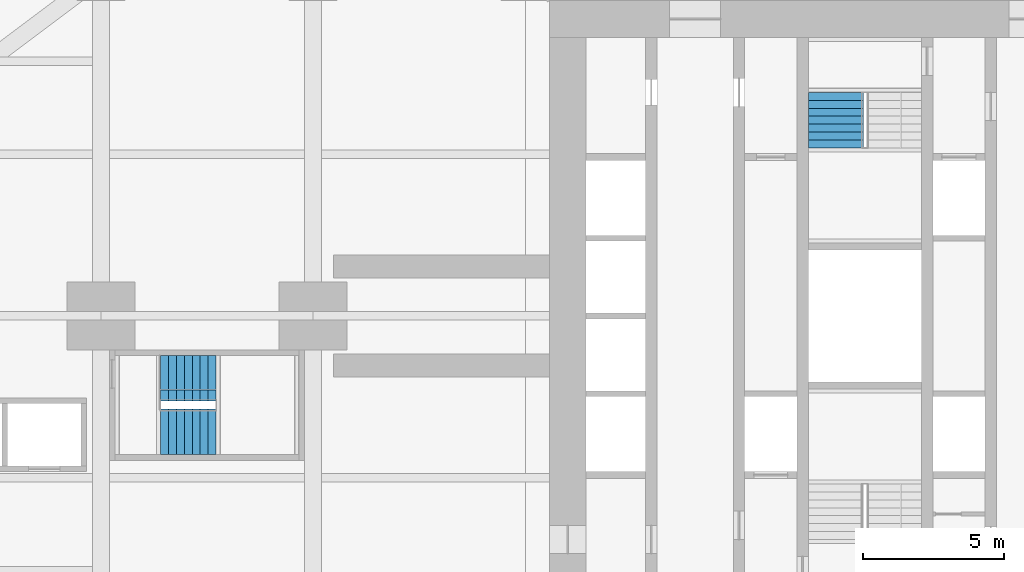
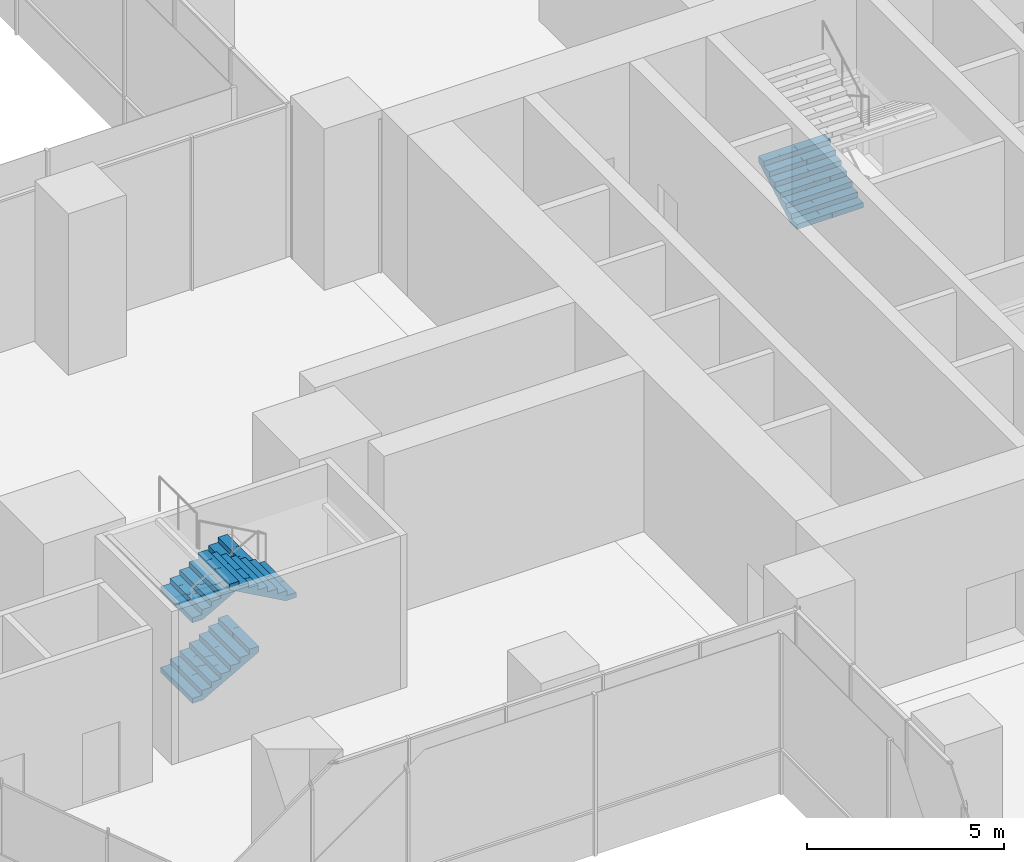
# One storey, part 20 of 23: 4 stair flights, 2 elements without a shape of their own.
"""IFC4 building model written with IfcOpenShell, lengths in metres."""

from ifc_helpers import new_model, si_unit, direction, frame, origin, place, context, subcontext, project, spatial, polyline, outline, extrude, material, type_object, element, aggregate, save


model = new_model("IFC4")

# Units and contexts
model_context = context("Model", 3, precision=1e-05, world=origin(), true_north=direction((0.0, 1.0)))
body_context = subcontext(model_context, "Body", "Model", "MODEL_VIEW")
ifc_project = project(units=[si_unit("LENGTHUNIT", "METRE"), si_unit("AREAUNIT", "SQUARE_METRE"), si_unit("VOLUMEUNIT", "CUBIC_METRE"), si_unit("PLANEANGLEUNIT", "RADIAN"), si_unit("MASSUNIT", "GRAM", prefix="KILO")], contexts=[model_context])

# Site, building, storey
site_placement = place(None, origin())
site = spatial("IfcSite", under=ifc_project, at=site_placement, CompositionType="ELEMENT")
building_placement = place(site_placement, origin())
building = spatial("IfcBuilding", under=site, at=building_placement, Name="Mizan Broadcast Tower", CompositionType="ELEMENT")
storey_placement = place(building_placement, frame((0.0, 0.0, 28.0)))
storey = spatial("IfcBuildingStorey", under=building, at=storey_placement, Name="L04", CompositionType="ELEMENT", Elevation=28.0)

# Stair, stair flight
ifc_material_1 = material(Name="Concrete C40/50", Category="concrete")
stair_type = type_object("IfcStairType", Name="EXIT STAIR", PredefinedType="HALF_TURN_STAIR", material=ifc_material_1)
stair_1_placement = place(storey_placement, origin())
stair_1 = element("IfcStair", 1, at=stair_1_placement, inside=storey, type_object=stair_type, Name="Stair B L04", PredefinedType="HALF_TURN_STAIR")
ifc_material_2 = material(Name="Concrete C40/50", Category="concrete")
stair_flight_type = type_object("IfcStairFlightType", Name="EXIT STAIR FLIGHT", PredefinedType="STRAIGHT", material=ifc_material_2)
stair_flight_1_placement = place(storey_placement, frame((-1.02490234375, 5.93994140625, 1.25), z_axis=(0.0, 0.0, 1.0), x_axis=(0.0, 1.0, 0.0)))
stair_flight_1 = element("IfcStairFlight", 2, at=stair_flight_1_placement, type_object=stair_flight_type, Name="B flight 2", NumberOfRisers=8, NumberOfTreads=7, PredefinedType="STRAIGHT", RiserHeight=0.15625, TreadLength=0.28, context=body_context, shape_type="SweptSolid", body=[
    extrude(outline(polyline([(0.0, 0.0), (0.0, 0.15625), (0.280029296875, 0.15625), (0.280029296875, 0.3125), (0.56005859375, 0.3125), (0.56005859375, 0.46875), (0.840087890625, 0.46875), (0.840087890625, 0.625), (1.1201171875, 0.625), (1.1201171875, 0.78125), (1.39990234375, 0.78125), (1.39990234375, 0.9375), (1.679931640625, 0.9375), (1.679931640625, 1.09375), (1.9599609375, 1.09375), (1.9599609375, 1.25), (1.9599609375, 0.922119140625), (0.3076171875, 0.0), (0.0, 0.0)])), frame((0.0, 0.97509765625, 0.0), z_axis=(0.0, -1.0, 0.0), x_axis=(1.0, 0.0, 0.0)), (0.0, 0.0, 1.0), 0.4873046875),
    extrude(outline(polyline([(0.0, 0.0), (0.0, 0.15625), (0.280029296875, 0.15625), (0.280029296875, 0.3125), (0.56005859375, 0.3125), (0.56005859375, 0.46875), (0.840087890625, 0.46875), (0.840087890625, 0.625), (1.1201171875, 0.625), (1.1201171875, 0.78125), (1.39990234375, 0.78125), (1.39990234375, 0.9375), (1.679931640625, 0.9375), (1.679931640625, 1.09375), (1.9599609375, 1.09375), (1.9599609375, 1.25), (1.9599609375, 0.922119140625), (0.3076171875, 0.0), (0.0, 0.0)])), frame((0.0, 0.4873046875, 0.0), z_axis=(0.0, -1.0, 0.0), x_axis=(1.0, 0.0, 0.0)), (0.0, 0.0, 1.0), 0.2431640625),
    extrude(outline(polyline([(0.0, 0.0), (0.0, 0.15625), (0.280029296875, 0.15625), (0.280029296875, 0.3125), (0.56005859375, 0.3125), (0.56005859375, 0.46875), (0.840087890625, 0.46875), (0.840087890625, 0.625), (1.1201171875, 0.625), (1.1201171875, 0.78125), (1.39990234375, 0.78125), (1.39990234375, 0.9375), (1.679931640625, 0.9375), (1.679931640625, 1.09375), (1.9599609375, 1.09375), (1.9599609375, 1.25), (1.9599609375, 0.922119140625), (0.3076171875, 0.0), (0.0, 0.0)])), frame((0.0, 0.24365234375, 0.0), z_axis=(0.0, -1.0, 0.0), x_axis=(1.0, 0.0, 0.0)), (0.0, 0.0, 1.0), 0.121337890625),
    extrude(outline(polyline([(0.0, 0.0), (0.0, 0.15625), (0.280029296875, 0.15625), (0.280029296875, 0.3125), (0.56005859375, 0.3125), (0.56005859375, 0.46875), (0.840087890625, 0.46875), (0.840087890625, 0.625), (1.1201171875, 0.625), (1.1201171875, 0.78125), (1.39990234375, 0.78125), (1.39990234375, 0.9375), (1.679931640625, 0.9375), (1.679931640625, 1.09375), (1.9599609375, 1.09375), (1.9599609375, 1.25), (1.9599609375, 0.922119140625), (0.3076171875, 0.0), (0.0, 0.0)])), frame((0.0, 0.121826171875, 0.0), z_axis=(0.0, -1.0, 0.0), x_axis=(1.0, 0.0, 0.0)), (0.0, 0.0, 1.0), 0.060546875),
    extrude(outline(polyline([(0.0, 0.0), (0.0, 0.15625), (0.280029296875, 0.15625), (0.280029296875, 0.3125), (0.56005859375, 0.3125), (0.56005859375, 0.46875), (0.840087890625, 0.46875), (0.840087890625, 0.625), (1.1201171875, 0.625), (1.1201171875, 0.78125), (1.39990234375, 0.78125), (1.39990234375, 0.9375), (1.679931640625, 0.9375), (1.679931640625, 1.09375), (1.9599609375, 1.09375), (1.9599609375, 1.25), (1.9599609375, 0.922119140625), (0.3076171875, 0.0), (0.0, 0.0)])), frame((0.0, 0.060791015625, 0.0), z_axis=(0.0, -1.0, 0.0), x_axis=(1.0, 0.0, 0.0)), (0.0, 0.0, 1.0), 0.030029296875),
    extrude(outline(polyline([(0.0, 0.0), (0.0, 0.15625), (0.280029296875, 0.15625), (0.280029296875, 0.3125), (0.56005859375, 0.3125), (0.56005859375, 0.46875), (0.840087890625, 0.46875), (0.840087890625, 0.625), (1.1201171875, 0.625), (1.1201171875, 0.78125), (1.39990234375, 0.78125), (1.39990234375, 0.9375), (1.679931640625, 0.9375), (1.679931640625, 1.09375), (1.9599609375, 1.09375), (1.9599609375, 1.25), (1.9599609375, 0.922119140625), (0.3076171875, 0.0), (0.0, 0.0)])), frame((0.0, 0.0302734375, 0.0), z_axis=(0.0, -1.0, 0.0), x_axis=(1.0, 0.0, 0.0)), (0.0, 0.0, 1.0), 0.060302734375),
    extrude(outline(polyline([(0.0, 0.0), (0.0, 0.15625), (0.280029296875, 0.15625), (0.280029296875, 0.3125), (0.56005859375, 0.3125), (0.56005859375, 0.46875), (0.840087890625, 0.46875), (0.840087890625, 0.625), (1.1201171875, 0.625), (1.1201171875, 0.78125), (1.39990234375, 0.78125), (1.39990234375, 0.9375), (1.679931640625, 0.9375), (1.679931640625, 1.09375), (1.9599609375, 1.09375), (1.9599609375, 1.25), (1.9599609375, 0.922119140625), (0.3076171875, 0.0), (0.0, 0.0)])), frame((0.0, -0.030517578125, 0.0), z_axis=(0.0, -1.0, 0.0), x_axis=(1.0, 0.0, 0.0)), (0.0, 0.0, 1.0), 0.030029296875),
    extrude(outline(polyline([(0.0, 0.0), (0.0, 0.15625), (0.280029296875, 0.15625), (0.280029296875, 0.3125), (0.56005859375, 0.3125), (0.56005859375, 0.46875), (0.840087890625, 0.46875), (0.840087890625, 0.625), (1.1201171875, 0.625), (1.1201171875, 0.78125), (1.39990234375, 0.78125), (1.39990234375, 0.9375), (1.679931640625, 0.9375), (1.679931640625, 1.09375), (1.9599609375, 1.09375), (1.9599609375, 1.25), (1.9599609375, 0.922119140625), (0.3076171875, 0.0), (0.0, 0.0)])), frame((0.0, -0.06103515625, 0.0), z_axis=(0.0, -1.0, 0.0), x_axis=(1.0, 0.0, 0.0)), (0.0, 0.0, 1.0), 0.060546875),
    extrude(outline(polyline([(0.0, 0.0), (0.0, 0.15625), (0.280029296875, 0.15625), (0.280029296875, 0.3125), (0.56005859375, 0.3125), (0.56005859375, 0.46875), (0.840087890625, 0.46875), (0.840087890625, 0.625), (1.1201171875, 0.625), (1.1201171875, 0.78125), (1.39990234375, 0.78125), (1.39990234375, 0.9375), (1.679931640625, 0.9375), (1.679931640625, 1.09375), (1.9599609375, 1.09375), (1.9599609375, 1.25), (1.9599609375, 0.922119140625), (0.3076171875, 0.0), (0.0, 0.0)])), frame((0.0, -0.1220703125, 0.0), z_axis=(0.0, -1.0, 0.0), x_axis=(1.0, 0.0, 0.0)), (0.0, 0.0, 1.0), 0.121337890625),
    extrude(outline(polyline([(0.0, 0.0), (0.0, 0.15625), (0.280029296875, 0.15625), (0.280029296875, 0.3125), (0.56005859375, 0.3125), (0.56005859375, 0.46875), (0.840087890625, 0.46875), (0.840087890625, 0.625), (1.1201171875, 0.625), (1.1201171875, 0.78125), (1.39990234375, 0.78125), (1.39990234375, 0.9375), (1.679931640625, 0.9375), (1.679931640625, 1.09375), (1.9599609375, 1.09375), (1.9599609375, 1.25), (1.9599609375, 0.922119140625), (0.3076171875, 0.0), (0.0, 0.0)])), frame((0.0, -0.243896484375, 0.0), z_axis=(0.0, -1.0, 0.0), x_axis=(1.0, 0.0, 0.0)), (0.0, 0.0, 1.0), 0.2431640625),
    extrude(outline(polyline([(0.0, 0.0), (0.0, 0.15625), (0.280029296875, 0.15625), (0.280029296875, 0.3125), (0.56005859375, 0.3125), (0.56005859375, 0.46875), (0.840087890625, 0.46875), (0.840087890625, 0.625), (1.1201171875, 0.625), (1.1201171875, 0.78125), (1.39990234375, 0.78125), (1.39990234375, 0.9375), (1.679931640625, 0.9375), (1.679931640625, 1.09375), (1.9599609375, 1.09375), (1.9599609375, 1.25), (1.9599609375, 0.922119140625), (0.3076171875, 0.0), (0.0, 0.0)])), frame((0.0, -0.487548828125, 0.0), z_axis=(0.0, -1.0, 0.0), x_axis=(1.0, 0.0, 0.0)), (0.0, 0.0, 1.0), 0.4873046875),
])
aggregate(stair_1, [stair_flight_1])

# Stair, stair flights
stair_2_placement = place(storey_placement, origin())
stair_2 = element("IfcStair", 3, at=stair_2_placement, inside=storey, type_object=stair_type, Name="Stair D L04", PredefinedType="HALF_TURN_STAIR")
stair_flight_2_placement = place(storey_placement, frame((-24.889892578125, -2.205078125, 0.0), z_axis=(0.0, 0.0, 1.0), x_axis=(1.0, 0.0, 0.0)))
stair_flight_2 = element("IfcStairFlight", 4, at=stair_flight_2_placement, type_object=stair_flight_type, Name="D flight 1", NumberOfRisers=8, NumberOfTreads=7, PredefinedType="STRAIGHT", RiserHeight=0.15625, TreadLength=0.28, context=body_context, shape_type="SweptSolid", body=[
    extrude(outline(polyline([(0.0, 0.0), (0.0, 0.15625), (0.280029296875, 0.15625), (0.280029296875, 0.3125), (0.56005859375, 0.3125), (0.56005859375, 0.46875), (0.840087890625, 0.46875), (0.840087890625, 0.625), (1.1201171875, 0.625), (1.1201171875, 0.78125), (1.39990234375, 0.78125), (1.39990234375, 0.9375), (1.679931640625, 0.9375), (1.679931640625, 1.09375), (1.9599609375, 1.09375), (1.9599609375, 1.25), (1.9599609375, 0.922119140625), (0.3076171875, 0.0), (0.0, 0.0)])), frame((0.0, 0.80517578125, 0.0), z_axis=(0.0, -1.0, 0.0), x_axis=(1.0, 0.0, 0.0)), (0.0, 0.0, 1.0), 0.40234375),
    extrude(outline(polyline([(0.0, 0.0), (0.0, 0.15625), (0.280029296875, 0.15625), (0.280029296875, 0.3125), (0.56005859375, 0.3125), (0.56005859375, 0.46875), (0.840087890625, 0.46875), (0.840087890625, 0.625), (1.1201171875, 0.625), (1.1201171875, 0.78125), (1.39990234375, 0.78125), (1.39990234375, 0.9375), (1.679931640625, 0.9375), (1.679931640625, 1.09375), (1.9599609375, 1.09375), (1.9599609375, 1.25), (1.9599609375, 0.922119140625), (0.3076171875, 0.0), (0.0, 0.0)])), frame((0.0, 0.40234375, 0.0), z_axis=(0.0, -1.0, 0.0), x_axis=(1.0, 0.0, 0.0)), (0.0, 0.0, 1.0), 0.20068359375),
    extrude(outline(polyline([(0.0, 0.0), (0.0, 0.15625), (0.280029296875, 0.15625), (0.280029296875, 0.3125), (0.56005859375, 0.3125), (0.56005859375, 0.46875), (0.840087890625, 0.46875), (0.840087890625, 0.625), (1.1201171875, 0.625), (1.1201171875, 0.78125), (1.39990234375, 0.78125), (1.39990234375, 0.9375), (1.679931640625, 0.9375), (1.679931640625, 1.09375), (1.9599609375, 1.09375), (1.9599609375, 1.25), (1.9599609375, 0.922119140625), (0.3076171875, 0.0), (0.0, 0.0)])), frame((0.0, 0.201171875, 0.0), z_axis=(0.0, -1.0, 0.0), x_axis=(1.0, 0.0, 0.0)), (0.0, 0.0, 1.0), 0.10009765625),
    extrude(outline(polyline([(0.0, 0.0), (0.0, 0.15625), (0.280029296875, 0.15625), (0.280029296875, 0.3125), (0.56005859375, 0.3125), (0.56005859375, 0.46875), (0.840087890625, 0.46875), (0.840087890625, 0.625), (1.1201171875, 0.625), (1.1201171875, 0.78125), (1.39990234375, 0.78125), (1.39990234375, 0.9375), (1.679931640625, 0.9375), (1.679931640625, 1.09375), (1.9599609375, 1.09375), (1.9599609375, 1.25), (1.9599609375, 0.922119140625), (0.3076171875, 0.0), (0.0, 0.0)])), frame((0.0, 0.1005859375, 0.0), z_axis=(0.0, -1.0, 0.0), x_axis=(1.0, 0.0, 0.0)), (0.0, 0.0, 1.0), 0.0498046875),
    extrude(outline(polyline([(0.0, 0.0), (0.0, 0.15625), (0.280029296875, 0.15625), (0.280029296875, 0.3125), (0.56005859375, 0.3125), (0.56005859375, 0.46875), (0.840087890625, 0.46875), (0.840087890625, 0.625), (1.1201171875, 0.625), (1.1201171875, 0.78125), (1.39990234375, 0.78125), (1.39990234375, 0.9375), (1.679931640625, 0.9375), (1.679931640625, 1.09375), (1.9599609375, 1.09375), (1.9599609375, 1.25), (1.9599609375, 0.922119140625), (0.3076171875, 0.0), (0.0, 0.0)])), frame((0.0, 0.05029296875, 0.0), z_axis=(0.0, -1.0, 0.0), x_axis=(1.0, 0.0, 0.0)), (0.0, 0.0, 1.0), 0.024658203125),
    extrude(outline(polyline([(0.0, 0.0), (0.0, 0.15625), (0.280029296875, 0.15625), (0.280029296875, 0.3125), (0.56005859375, 0.3125), (0.56005859375, 0.46875), (0.840087890625, 0.46875), (0.840087890625, 0.625), (1.1201171875, 0.625), (1.1201171875, 0.78125), (1.39990234375, 0.78125), (1.39990234375, 0.9375), (1.679931640625, 0.9375), (1.679931640625, 1.09375), (1.9599609375, 1.09375), (1.9599609375, 1.25), (1.9599609375, 0.922119140625), (0.3076171875, 0.0), (0.0, 0.0)])), frame((0.0, 0.025146484375, 0.0), z_axis=(0.0, -1.0, 0.0), x_axis=(1.0, 0.0, 0.0)), (0.0, 0.0, 1.0), 0.050048828125),
    extrude(outline(polyline([(0.0, 0.0), (0.0, 0.15625), (0.280029296875, 0.15625), (0.280029296875, 0.3125), (0.56005859375, 0.3125), (0.56005859375, 0.46875), (0.840087890625, 0.46875), (0.840087890625, 0.625), (1.1201171875, 0.625), (1.1201171875, 0.78125), (1.39990234375, 0.78125), (1.39990234375, 0.9375), (1.679931640625, 0.9375), (1.679931640625, 1.09375), (1.9599609375, 1.09375), (1.9599609375, 1.25), (1.9599609375, 0.922119140625), (0.3076171875, 0.0), (0.0, 0.0)])), frame((0.0, -0.025390625, 0.0), z_axis=(0.0, -1.0, 0.0), x_axis=(1.0, 0.0, 0.0)), (0.0, 0.0, 1.0), 0.024658203125),
    extrude(outline(polyline([(0.0, 0.0), (0.0, 0.15625), (0.280029296875, 0.15625), (0.280029296875, 0.3125), (0.56005859375, 0.3125), (0.56005859375, 0.46875), (0.840087890625, 0.46875), (0.840087890625, 0.625), (1.1201171875, 0.625), (1.1201171875, 0.78125), (1.39990234375, 0.78125), (1.39990234375, 0.9375), (1.679931640625, 0.9375), (1.679931640625, 1.09375), (1.9599609375, 1.09375), (1.9599609375, 1.25), (1.9599609375, 0.922119140625), (0.3076171875, 0.0), (0.0, 0.0)])), frame((0.0, -0.050537109375, 0.0), z_axis=(0.0, -1.0, 0.0), x_axis=(1.0, 0.0, 0.0)), (0.0, 0.0, 1.0), 0.0498046875),
    extrude(outline(polyline([(0.0, 0.0), (0.0, 0.15625), (0.280029296875, 0.15625), (0.280029296875, 0.3125), (0.56005859375, 0.3125), (0.56005859375, 0.46875), (0.840087890625, 0.46875), (0.840087890625, 0.625), (1.1201171875, 0.625), (1.1201171875, 0.78125), (1.39990234375, 0.78125), (1.39990234375, 0.9375), (1.679931640625, 0.9375), (1.679931640625, 1.09375), (1.9599609375, 1.09375), (1.9599609375, 1.25), (1.9599609375, 0.922119140625), (0.3076171875, 0.0), (0.0, 0.0)])), frame((0.0, -0.100830078125, 0.0), z_axis=(0.0, -1.0, 0.0), x_axis=(1.0, 0.0, 0.0)), (0.0, 0.0, 1.0), 0.10009765625),
    extrude(outline(polyline([(0.0, 0.0), (0.0, 0.15625), (0.280029296875, 0.15625), (0.280029296875, 0.3125), (0.56005859375, 0.3125), (0.56005859375, 0.46875), (0.840087890625, 0.46875), (0.840087890625, 0.625), (1.1201171875, 0.625), (1.1201171875, 0.78125), (1.39990234375, 0.78125), (1.39990234375, 0.9375), (1.679931640625, 0.9375), (1.679931640625, 1.09375), (1.9599609375, 1.09375), (1.9599609375, 1.25), (1.9599609375, 0.922119140625), (0.3076171875, 0.0), (0.0, 0.0)])), frame((0.0, -0.201416015625, 0.0), z_axis=(0.0, -1.0, 0.0), x_axis=(1.0, 0.0, 0.0)), (0.0, 0.0, 1.0), 0.20068359375),
    extrude(outline(polyline([(0.0, 0.0), (0.0, 0.15625), (0.280029296875, 0.15625), (0.280029296875, 0.3125), (0.56005859375, 0.3125), (0.56005859375, 0.46875), (0.840087890625, 0.46875), (0.840087890625, 0.625), (1.1201171875, 0.625), (1.1201171875, 0.78125), (1.39990234375, 0.78125), (1.39990234375, 0.9375), (1.679931640625, 0.9375), (1.679931640625, 1.09375), (1.9599609375, 1.09375), (1.9599609375, 1.25), (1.9599609375, 0.922119140625), (0.3076171875, 0.0), (0.0, 0.0)])), frame((0.0, -0.402587890625, 0.0), z_axis=(0.0, -1.0, 0.0), x_axis=(1.0, 0.0, 0.0)), (0.0, 0.0, 1.0), 0.40234375),
])
stair_flight_3_placement = place(storey_placement, frame((-24.889892578125, -2.205078125, 2.5), z_axis=(0.0, 0.0, 1.0), x_axis=(1.0, 0.0, 0.0)))
stair_flight_3 = element("IfcStairFlight", 5, at=stair_flight_3_placement, type_object=stair_flight_type, Name="D flight 3", NumberOfRisers=8, NumberOfTreads=7, PredefinedType="STRAIGHT", RiserHeight=0.15625, TreadLength=0.28, context=body_context, shape_type="SweptSolid", body=[
    extrude(outline(polyline([(0.0, 0.0), (0.0, 0.15625), (0.280029296875, 0.15625), (0.280029296875, 0.3125), (0.56005859375, 0.3125), (0.56005859375, 0.46875), (0.840087890625, 0.46875), (0.840087890625, 0.625), (1.1201171875, 0.625), (1.1201171875, 0.78125), (1.39990234375, 0.78125), (1.39990234375, 0.9375), (1.679931640625, 0.9375), (1.679931640625, 1.09375), (1.9599609375, 1.09375), (1.9599609375, 1.25), (1.9599609375, 0.922119140625), (0.3076171875, 0.0), (0.0, 0.0)])), frame((0.0, 0.80517578125, 0.0), z_axis=(0.0, -1.0, 0.0), x_axis=(1.0, 0.0, 0.0)), (0.0, 0.0, 1.0), 0.40234375),
    extrude(outline(polyline([(0.0, 0.0), (0.0, 0.15625), (0.280029296875, 0.15625), (0.280029296875, 0.3125), (0.56005859375, 0.3125), (0.56005859375, 0.46875), (0.840087890625, 0.46875), (0.840087890625, 0.625), (1.1201171875, 0.625), (1.1201171875, 0.78125), (1.39990234375, 0.78125), (1.39990234375, 0.9375), (1.679931640625, 0.9375), (1.679931640625, 1.09375), (1.9599609375, 1.09375), (1.9599609375, 1.25), (1.9599609375, 0.922119140625), (0.3076171875, 0.0), (0.0, 0.0)])), frame((0.0, 0.40234375, 0.0), z_axis=(0.0, -1.0, 0.0), x_axis=(1.0, 0.0, 0.0)), (0.0, 0.0, 1.0), 0.20068359375),
    extrude(outline(polyline([(0.0, 0.0), (0.0, 0.15625), (0.280029296875, 0.15625), (0.280029296875, 0.3125), (0.56005859375, 0.3125), (0.56005859375, 0.46875), (0.840087890625, 0.46875), (0.840087890625, 0.625), (1.1201171875, 0.625), (1.1201171875, 0.78125), (1.39990234375, 0.78125), (1.39990234375, 0.9375), (1.679931640625, 0.9375), (1.679931640625, 1.09375), (1.9599609375, 1.09375), (1.9599609375, 1.25), (1.9599609375, 0.922119140625), (0.3076171875, 0.0), (0.0, 0.0)])), frame((0.0, 0.201171875, 0.0), z_axis=(0.0, -1.0, 0.0), x_axis=(1.0, 0.0, 0.0)), (0.0, 0.0, 1.0), 0.10009765625),
    extrude(outline(polyline([(0.0, 0.0), (0.0, 0.15625), (0.280029296875, 0.15625), (0.280029296875, 0.3125), (0.56005859375, 0.3125), (0.56005859375, 0.46875), (0.840087890625, 0.46875), (0.840087890625, 0.625), (1.1201171875, 0.625), (1.1201171875, 0.78125), (1.39990234375, 0.78125), (1.39990234375, 0.9375), (1.679931640625, 0.9375), (1.679931640625, 1.09375), (1.9599609375, 1.09375), (1.9599609375, 1.25), (1.9599609375, 0.922119140625), (0.3076171875, 0.0), (0.0, 0.0)])), frame((0.0, 0.1005859375, 0.0), z_axis=(0.0, -1.0, 0.0), x_axis=(1.0, 0.0, 0.0)), (0.0, 0.0, 1.0), 0.0498046875),
    extrude(outline(polyline([(0.0, 0.0), (0.0, 0.15625), (0.280029296875, 0.15625), (0.280029296875, 0.3125), (0.56005859375, 0.3125), (0.56005859375, 0.46875), (0.840087890625, 0.46875), (0.840087890625, 0.625), (1.1201171875, 0.625), (1.1201171875, 0.78125), (1.39990234375, 0.78125), (1.39990234375, 0.9375), (1.679931640625, 0.9375), (1.679931640625, 1.09375), (1.9599609375, 1.09375), (1.9599609375, 1.25), (1.9599609375, 0.922119140625), (0.3076171875, 0.0), (0.0, 0.0)])), frame((0.0, 0.05029296875, 0.0), z_axis=(0.0, -1.0, 0.0), x_axis=(1.0, 0.0, 0.0)), (0.0, 0.0, 1.0), 0.024658203125),
    extrude(outline(polyline([(0.0, 0.0), (0.0, 0.15625), (0.280029296875, 0.15625), (0.280029296875, 0.3125), (0.56005859375, 0.3125), (0.56005859375, 0.46875), (0.840087890625, 0.46875), (0.840087890625, 0.625), (1.1201171875, 0.625), (1.1201171875, 0.78125), (1.39990234375, 0.78125), (1.39990234375, 0.9375), (1.679931640625, 0.9375), (1.679931640625, 1.09375), (1.9599609375, 1.09375), (1.9599609375, 1.25), (1.9599609375, 0.922119140625), (0.3076171875, 0.0), (0.0, 0.0)])), frame((0.0, 0.025146484375, 0.0), z_axis=(0.0, -1.0, 0.0), x_axis=(1.0, 0.0, 0.0)), (0.0, 0.0, 1.0), 0.050048828125),
    extrude(outline(polyline([(0.0, 0.0), (0.0, 0.15625), (0.280029296875, 0.15625), (0.280029296875, 0.3125), (0.56005859375, 0.3125), (0.56005859375, 0.46875), (0.840087890625, 0.46875), (0.840087890625, 0.625), (1.1201171875, 0.625), (1.1201171875, 0.78125), (1.39990234375, 0.78125), (1.39990234375, 0.9375), (1.679931640625, 0.9375), (1.679931640625, 1.09375), (1.9599609375, 1.09375), (1.9599609375, 1.25), (1.9599609375, 0.922119140625), (0.3076171875, 0.0), (0.0, 0.0)])), frame((0.0, -0.025390625, 0.0), z_axis=(0.0, -1.0, 0.0), x_axis=(1.0, 0.0, 0.0)), (0.0, 0.0, 1.0), 0.024658203125),
    extrude(outline(polyline([(0.0, 0.0), (0.0, 0.15625), (0.280029296875, 0.15625), (0.280029296875, 0.3125), (0.56005859375, 0.3125), (0.56005859375, 0.46875), (0.840087890625, 0.46875), (0.840087890625, 0.625), (1.1201171875, 0.625), (1.1201171875, 0.78125), (1.39990234375, 0.78125), (1.39990234375, 0.9375), (1.679931640625, 0.9375), (1.679931640625, 1.09375), (1.9599609375, 1.09375), (1.9599609375, 1.25), (1.9599609375, 0.922119140625), (0.3076171875, 0.0), (0.0, 0.0)])), frame((0.0, -0.050537109375, 0.0), z_axis=(0.0, -1.0, 0.0), x_axis=(1.0, 0.0, 0.0)), (0.0, 0.0, 1.0), 0.0498046875),
    extrude(outline(polyline([(0.0, 0.0), (0.0, 0.15625), (0.280029296875, 0.15625), (0.280029296875, 0.3125), (0.56005859375, 0.3125), (0.56005859375, 0.46875), (0.840087890625, 0.46875), (0.840087890625, 0.625), (1.1201171875, 0.625), (1.1201171875, 0.78125), (1.39990234375, 0.78125), (1.39990234375, 0.9375), (1.679931640625, 0.9375), (1.679931640625, 1.09375), (1.9599609375, 1.09375), (1.9599609375, 1.25), (1.9599609375, 0.922119140625), (0.3076171875, 0.0), (0.0, 0.0)])), frame((0.0, -0.100830078125, 0.0), z_axis=(0.0, -1.0, 0.0), x_axis=(1.0, 0.0, 0.0)), (0.0, 0.0, 1.0), 0.10009765625),
    extrude(outline(polyline([(0.0, 0.0), (0.0, 0.15625), (0.280029296875, 0.15625), (0.280029296875, 0.3125), (0.56005859375, 0.3125), (0.56005859375, 0.46875), (0.840087890625, 0.46875), (0.840087890625, 0.625), (1.1201171875, 0.625), (1.1201171875, 0.78125), (1.39990234375, 0.78125), (1.39990234375, 0.9375), (1.679931640625, 0.9375), (1.679931640625, 1.09375), (1.9599609375, 1.09375), (1.9599609375, 1.25), (1.9599609375, 0.922119140625), (0.3076171875, 0.0), (0.0, 0.0)])), frame((0.0, -0.201416015625, 0.0), z_axis=(0.0, -1.0, 0.0), x_axis=(1.0, 0.0, 0.0)), (0.0, 0.0, 1.0), 0.20068359375),
    extrude(outline(polyline([(0.0, 0.0), (0.0, 0.15625), (0.280029296875, 0.15625), (0.280029296875, 0.3125), (0.56005859375, 0.3125), (0.56005859375, 0.46875), (0.840087890625, 0.46875), (0.840087890625, 0.625), (1.1201171875, 0.625), (1.1201171875, 0.78125), (1.39990234375, 0.78125), (1.39990234375, 0.9375), (1.679931640625, 0.9375), (1.679931640625, 1.09375), (1.9599609375, 1.09375), (1.9599609375, 1.25), (1.9599609375, 0.922119140625), (0.3076171875, 0.0), (0.0, 0.0)])), frame((0.0, -0.402587890625, 0.0), z_axis=(0.0, -1.0, 0.0), x_axis=(1.0, 0.0, 0.0)), (0.0, 0.0, 1.0), 0.40234375),
])
stair_flight_4_placement = place(storey_placement, frame((-22.929931640625, -4.094970703125, 3.75), z_axis=(0.0, 0.0, 1.0), x_axis=(-1.0, 0.0, 0.0)))
stair_flight_4 = element("IfcStairFlight", 6, at=stair_flight_4_placement, type_object=stair_flight_type, Name="D flight 4", NumberOfRisers=8, NumberOfTreads=7, PredefinedType="STRAIGHT", RiserHeight=0.15625, TreadLength=0.28, context=body_context, shape_type="SweptSolid", body=[
    extrude(outline(polyline([(0.0, 0.0), (0.0, 0.15625), (0.280029296875, 0.15625), (0.280029296875, 0.3125), (0.56005859375, 0.3125), (0.56005859375, 0.46875), (0.840087890625, 0.46875), (0.840087890625, 0.625), (1.1201171875, 0.625), (1.1201171875, 0.78125), (1.39990234375, 0.78125), (1.39990234375, 0.9375), (1.679931640625, 0.9375), (1.679931640625, 1.09375), (1.9599609375, 1.09375), (1.9599609375, 1.25), (1.9599609375, 0.922119140625), (0.3076171875, 0.0), (0.0, 0.0)])), frame((0.0, 0.80517578125, 0.0), z_axis=(0.0, -1.0, 0.0), x_axis=(1.0, 0.0, 0.0)), (0.0, 0.0, 1.0), 0.40234375),
    extrude(outline(polyline([(0.0, 0.0), (0.0, 0.15625), (0.280029296875, 0.15625), (0.280029296875, 0.3125), (0.56005859375, 0.3125), (0.56005859375, 0.46875), (0.840087890625, 0.46875), (0.840087890625, 0.625), (1.1201171875, 0.625), (1.1201171875, 0.78125), (1.39990234375, 0.78125), (1.39990234375, 0.9375), (1.679931640625, 0.9375), (1.679931640625, 1.09375), (1.9599609375, 1.09375), (1.9599609375, 1.25), (1.9599609375, 0.922119140625), (0.3076171875, 0.0), (0.0, 0.0)])), frame((0.0, 0.40234375, 0.0), z_axis=(0.0, -1.0, 0.0), x_axis=(1.0, 0.0, 0.0)), (0.0, 0.0, 1.0), 0.20068359375),
    extrude(outline(polyline([(0.0, 0.0), (0.0, 0.15625), (0.280029296875, 0.15625), (0.280029296875, 0.3125), (0.56005859375, 0.3125), (0.56005859375, 0.46875), (0.840087890625, 0.46875), (0.840087890625, 0.625), (1.1201171875, 0.625), (1.1201171875, 0.78125), (1.39990234375, 0.78125), (1.39990234375, 0.9375), (1.679931640625, 0.9375), (1.679931640625, 1.09375), (1.9599609375, 1.09375), (1.9599609375, 1.25), (1.9599609375, 0.922119140625), (0.3076171875, 0.0), (0.0, 0.0)])), frame((0.0, 0.201171875, 0.0), z_axis=(0.0, -1.0, 0.0), x_axis=(1.0, 0.0, 0.0)), (0.0, 0.0, 1.0), 0.10009765625),
    extrude(outline(polyline([(0.0, 0.0), (0.0, 0.15625), (0.280029296875, 0.15625), (0.280029296875, 0.3125), (0.56005859375, 0.3125), (0.56005859375, 0.46875), (0.840087890625, 0.46875), (0.840087890625, 0.625), (1.1201171875, 0.625), (1.1201171875, 0.78125), (1.39990234375, 0.78125), (1.39990234375, 0.9375), (1.679931640625, 0.9375), (1.679931640625, 1.09375), (1.9599609375, 1.09375), (1.9599609375, 1.25), (1.9599609375, 0.922119140625), (0.3076171875, 0.0), (0.0, 0.0)])), frame((0.0, 0.1005859375, 0.0), z_axis=(0.0, -1.0, 0.0), x_axis=(1.0, 0.0, 0.0)), (0.0, 0.0, 1.0), 0.0498046875),
    extrude(outline(polyline([(0.0, 0.0), (0.0, 0.15625), (0.280029296875, 0.15625), (0.280029296875, 0.3125), (0.56005859375, 0.3125), (0.56005859375, 0.46875), (0.840087890625, 0.46875), (0.840087890625, 0.625), (1.1201171875, 0.625), (1.1201171875, 0.78125), (1.39990234375, 0.78125), (1.39990234375, 0.9375), (1.679931640625, 0.9375), (1.679931640625, 1.09375), (1.9599609375, 1.09375), (1.9599609375, 1.25), (1.9599609375, 0.922119140625), (0.3076171875, 0.0), (0.0, 0.0)])), frame((0.0, 0.05029296875, 0.0), z_axis=(0.0, -1.0, 0.0), x_axis=(1.0, 0.0, 0.0)), (0.0, 0.0, 1.0), 0.024658203125),
    extrude(outline(polyline([(0.0, 0.0), (0.0, 0.15625), (0.280029296875, 0.15625), (0.280029296875, 0.3125), (0.56005859375, 0.3125), (0.56005859375, 0.46875), (0.840087890625, 0.46875), (0.840087890625, 0.625), (1.1201171875, 0.625), (1.1201171875, 0.78125), (1.39990234375, 0.78125), (1.39990234375, 0.9375), (1.679931640625, 0.9375), (1.679931640625, 1.09375), (1.9599609375, 1.09375), (1.9599609375, 1.25), (1.9599609375, 0.922119140625), (0.3076171875, 0.0), (0.0, 0.0)])), frame((0.0, 0.025146484375, 0.0), z_axis=(0.0, -1.0, 0.0), x_axis=(1.0, 0.0, 0.0)), (0.0, 0.0, 1.0), 0.050048828125),
    extrude(outline(polyline([(0.0, 0.0), (0.0, 0.15625), (0.280029296875, 0.15625), (0.280029296875, 0.3125), (0.56005859375, 0.3125), (0.56005859375, 0.46875), (0.840087890625, 0.46875), (0.840087890625, 0.625), (1.1201171875, 0.625), (1.1201171875, 0.78125), (1.39990234375, 0.78125), (1.39990234375, 0.9375), (1.679931640625, 0.9375), (1.679931640625, 1.09375), (1.9599609375, 1.09375), (1.9599609375, 1.25), (1.9599609375, 0.922119140625), (0.3076171875, 0.0), (0.0, 0.0)])), frame((0.0, -0.025390625, 0.0), z_axis=(0.0, -1.0, 0.0), x_axis=(1.0, 0.0, 0.0)), (0.0, 0.0, 1.0), 0.024658203125),
    extrude(outline(polyline([(0.0, 0.0), (0.0, 0.15625), (0.280029296875, 0.15625), (0.280029296875, 0.3125), (0.56005859375, 0.3125), (0.56005859375, 0.46875), (0.840087890625, 0.46875), (0.840087890625, 0.625), (1.1201171875, 0.625), (1.1201171875, 0.78125), (1.39990234375, 0.78125), (1.39990234375, 0.9375), (1.679931640625, 0.9375), (1.679931640625, 1.09375), (1.9599609375, 1.09375), (1.9599609375, 1.25), (1.9599609375, 0.922119140625), (0.3076171875, 0.0), (0.0, 0.0)])), frame((0.0, -0.050537109375, 0.0), z_axis=(0.0, -1.0, 0.0), x_axis=(1.0, 0.0, 0.0)), (0.0, 0.0, 1.0), 0.0498046875),
    extrude(outline(polyline([(0.0, 0.0), (0.0, 0.15625), (0.280029296875, 0.15625), (0.280029296875, 0.3125), (0.56005859375, 0.3125), (0.56005859375, 0.46875), (0.840087890625, 0.46875), (0.840087890625, 0.625), (1.1201171875, 0.625), (1.1201171875, 0.78125), (1.39990234375, 0.78125), (1.39990234375, 0.9375), (1.679931640625, 0.9375), (1.679931640625, 1.09375), (1.9599609375, 1.09375), (1.9599609375, 1.25), (1.9599609375, 0.922119140625), (0.3076171875, 0.0), (0.0, 0.0)])), frame((0.0, -0.100830078125, 0.0), z_axis=(0.0, -1.0, 0.0), x_axis=(1.0, 0.0, 0.0)), (0.0, 0.0, 1.0), 0.10009765625),
    extrude(outline(polyline([(0.0, 0.0), (0.0, 0.15625), (0.280029296875, 0.15625), (0.280029296875, 0.3125), (0.56005859375, 0.3125), (0.56005859375, 0.46875), (0.840087890625, 0.46875), (0.840087890625, 0.625), (1.1201171875, 0.625), (1.1201171875, 0.78125), (1.39990234375, 0.78125), (1.39990234375, 0.9375), (1.679931640625, 0.9375), (1.679931640625, 1.09375), (1.9599609375, 1.09375), (1.9599609375, 1.25), (1.9599609375, 0.922119140625), (0.3076171875, 0.0), (0.0, 0.0)])), frame((0.0, -0.201416015625, 0.0), z_axis=(0.0, -1.0, 0.0), x_axis=(1.0, 0.0, 0.0)), (0.0, 0.0, 1.0), 0.20068359375),
    extrude(outline(polyline([(0.0, 0.0), (0.0, 0.15625), (0.280029296875, 0.15625), (0.280029296875, 0.3125), (0.56005859375, 0.3125), (0.56005859375, 0.46875), (0.840087890625, 0.46875), (0.840087890625, 0.625), (1.1201171875, 0.625), (1.1201171875, 0.78125), (1.39990234375, 0.78125), (1.39990234375, 0.9375), (1.679931640625, 0.9375), (1.679931640625, 1.09375), (1.9599609375, 1.09375), (1.9599609375, 1.25), (1.9599609375, 0.922119140625), (0.3076171875, 0.0), (0.0, 0.0)])), frame((0.0, -0.402587890625, 0.0), z_axis=(0.0, -1.0, 0.0), x_axis=(1.0, 0.0, 0.0)), (0.0, 0.0, 1.0), 0.40234375),
])
aggregate(stair_2, [stair_flight_2, stair_flight_3, stair_flight_4])

save(model, "model.ifc")
